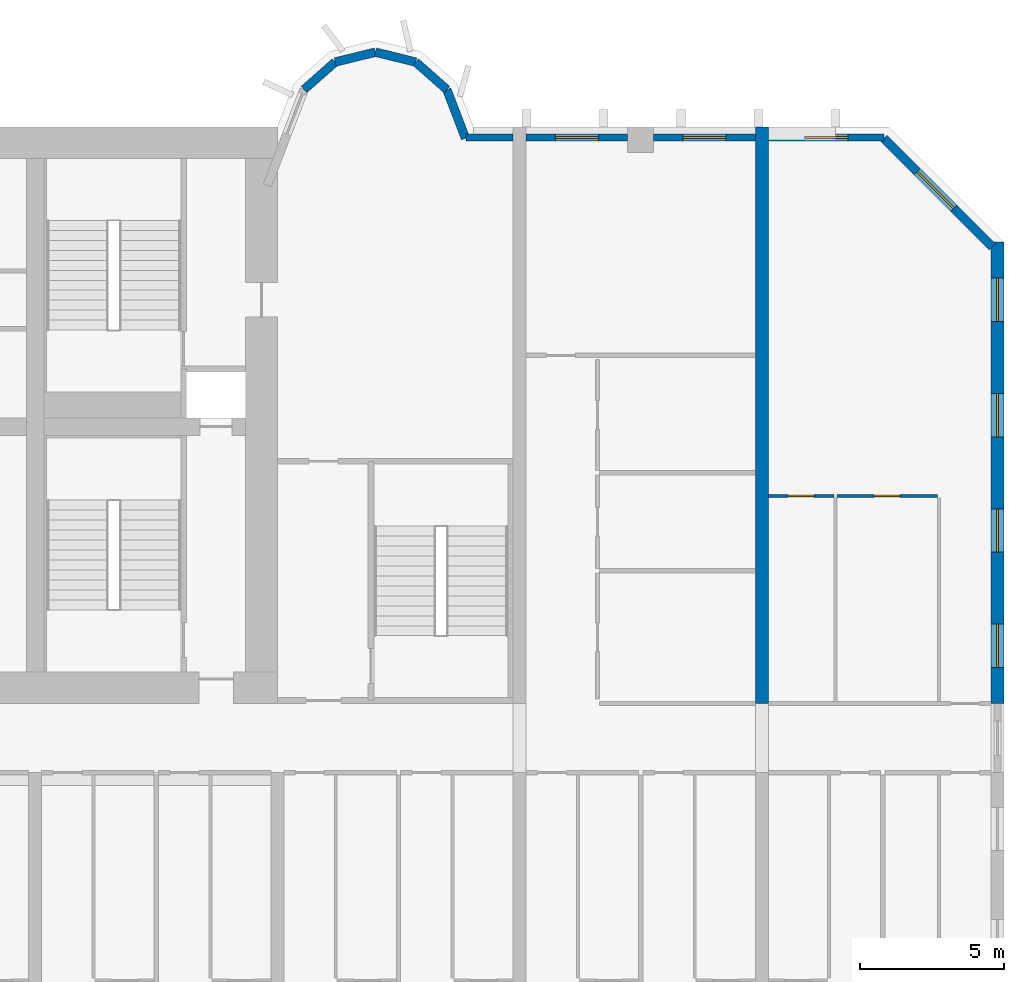
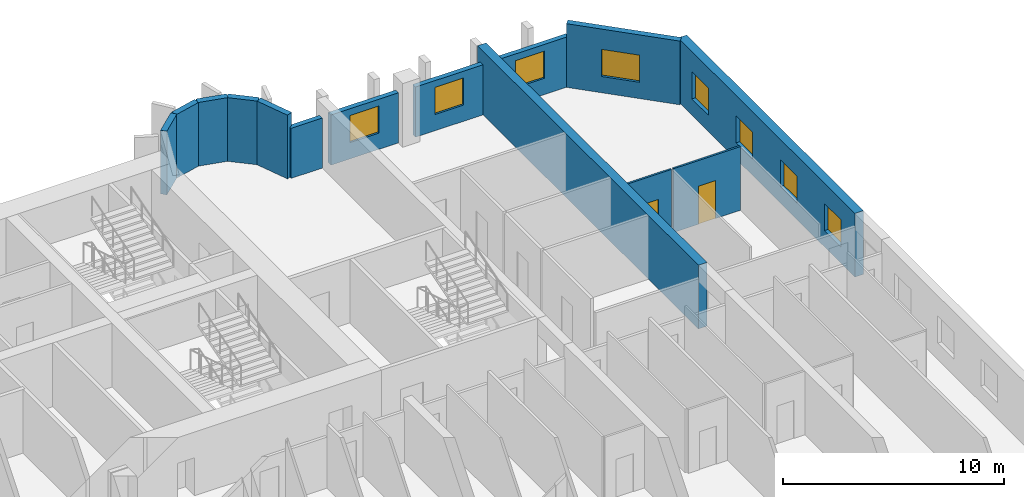
# One storey, part 11 of 15: 14 walls, 8 windows, 2 doors, 10 openings.
"""IFC4 building model written with IfcOpenShell, lengths in metres."""

from ifc_helpers import new_model, si_unit, direction, frame, frame_2d, origin, place, context, subcontext, project, spatial, rectangle, extrude, source, transform, mapped, material, layer, layer_set, type_object, element, fill, save


model = new_model("IFC4")

# Units and contexts
model_context = context("Model", 3, precision=1e-05, world=origin(), true_north=direction((0.0, 1.0)))
body_context = subcontext(model_context, "Body", "Model", "MODEL_VIEW")
ifc_project = project(units=[si_unit("LENGTHUNIT", "METRE"), si_unit("AREAUNIT", "SQUARE_METRE"), si_unit("VOLUMEUNIT", "CUBIC_METRE"), si_unit("PLANEANGLEUNIT", "RADIAN"), si_unit("MASSUNIT", "GRAM", prefix="KILO")], contexts=[model_context])

# Site, building, storey
site_placement = place(None, origin())
site = spatial("IfcSite", under=ifc_project, at=site_placement, CompositionType="ELEMENT")
building_placement = place(site_placement, origin())
building = spatial("IfcBuilding", under=site, at=building_placement, Name="Vanashikhar Sky Hotel", CompositionType="ELEMENT")
storey_placement = place(building_placement, frame((0.0, 0.0, 35.39990234375)))
storey = spatial("IfcBuildingStorey", under=building, at=storey_placement, Name="L07", CompositionType="ELEMENT", Elevation=35.39990234375)

# Wall, openings, windows
ifc_material_1 = material(Name="Concrete M80", Category="concrete")
ifc_layer_1 = layer(ifc_material_1, 0.449951171875)
ifc_layer_set_1 = layer_set([ifc_layer_1], Name="RC shear wall 450 Concrete M80")
wall_type_1 = type_object("IfcWallType", Name="RC shear wall 450 Concrete M80", PredefinedType="SHEAR", material=ifc_layer_set_1)
shared_shape_1 = source(origin(), body_context, "Body", "SweptSolid", [
    extrude(rectangle(XDim=16.0, YDim=0.449951171875, at=frame_2d((8.0, 0.0))), origin(), (0.0, 0.0, 1.0), 3.52001953125),
])
wall_1_placement = place(storey_placement, frame((100.574951171875, 22.0, 0.0), z_axis=(0.0, 0.0, 1.0), x_axis=(0.0, 1.0, 0.0)))
wall_1 = element("IfcWall", 1, at=wall_1_placement, inside=storey, type_object=wall_type_1, Name="CW-L07-XW13-2", PredefinedType="SHEAR", context=body_context, shape_type="MappedRepresentation", body=[
    mapped(shared_shape_1, transform((0.0, 0.0, 0.0), scale=1.0)),
])
shared_shape_2 = source(origin(), body_context, "Body", "SweptSolid", [
    extrude(rectangle(XDim=1.5, YDim=1.5, at=frame_2d((0.75, 0.75))), frame((0.0, 0.23486328125, 0.0), z_axis=(0.0, -1.0, 0.0), x_axis=(1.0, 0.0, 0.0)), (0.0, 0.0, 1.0), 0.469970703125),
])
opening_1_placement = place(wall_1_placement, frame((1.25, 0.0, 0.89990234375)))
opening_1 = element("IfcOpeningElement", 2, at=opening_1_placement, cuts=wall_1, Name="Opening WN-1", PredefinedType="OPENING", context=body_context, shape_type="MappedRepresentation", body=[
    mapped(shared_shape_2, transform((0.0, 0.0, 0.0), scale=1.0)),
])
opening_2_placement = place(wall_1_placement, frame((5.25, 0.0, 0.89990234375)))
opening_2 = element("IfcOpeningElement", 3, at=opening_2_placement, cuts=wall_1, Name="Opening WN-1", PredefinedType="OPENING", context=body_context, shape_type="MappedRepresentation", body=[
    mapped(shared_shape_2, transform((0.0, 0.0, 0.0), scale=1.0)),
])
opening_3_placement = place(wall_1_placement, frame((9.25, 0.0, 0.89990234375)))
opening_3 = element("IfcOpeningElement", 4, at=opening_3_placement, cuts=wall_1, Name="Opening WN-1", PredefinedType="OPENING", context=body_context, shape_type="MappedRepresentation", body=[
    mapped(shared_shape_2, transform((0.0, 0.0, 0.0), scale=1.0)),
])
opening_4_placement = place(wall_1_placement, frame((13.25, 0.0, 0.89990234375)))
opening_4 = element("IfcOpeningElement", 5, at=opening_4_placement, cuts=wall_1, Name="Opening WN-1", PredefinedType="OPENING", context=body_context, shape_type="MappedRepresentation", body=[
    mapped(shared_shape_2, transform((0.0, 0.0, 0.0), scale=1.0)),
])
ifc_material_2 = material(Name="Glass", Category="glass")
window_type_1 = type_object("IfcWindowType", Name="Window 1500 x 1500", PartitioningType="SINGLE_PANEL", PredefinedType="WINDOW", material=ifc_material_2)
shared_shape_3 = source(origin(), body_context, "Body", "SweptSolid", [
    extrude(rectangle(XDim=1.5, YDim=1.5, at=frame_2d((0.75, 0.75))), frame((0.0, 0.030029296875, 0.0), z_axis=(0.0, -1.0, 0.0), x_axis=(1.0, 0.0, 0.0)), (0.0, 0.0, 1.0), 0.06005859375),
])
window_1_placement = place(opening_1_placement, origin())
window_1 = element("IfcWindow", 6, at=window_1_placement, inside=storey, type_object=window_type_1, Name="Window WN-1", OverallHeight=1.5, OverallWidth=1.5, PartitioningType="SINGLE_PANEL", PredefinedType="WINDOW", context=body_context, shape_type="MappedRepresentation", body=[
    mapped(shared_shape_3, transform((0.0, 0.0, 0.0), scale=1.0)),
])
fill(opening_1, window_1)
window_2_placement = place(opening_2_placement, origin())
window_2 = element("IfcWindow", 7, at=window_2_placement, inside=storey, type_object=window_type_1, Name="Window WN-1", OverallHeight=1.5, OverallWidth=1.5, PartitioningType="SINGLE_PANEL", PredefinedType="WINDOW", context=body_context, shape_type="MappedRepresentation", body=[
    mapped(shared_shape_3, transform((0.0, 0.0, 0.0), scale=1.0)),
])
fill(opening_2, window_2)
window_3_placement = place(opening_3_placement, origin())
window_3 = element("IfcWindow", 8, at=window_3_placement, inside=storey, type_object=window_type_1, Name="Window WN-1", OverallHeight=1.5, OverallWidth=1.5, PartitioningType="SINGLE_PANEL", PredefinedType="WINDOW", context=body_context, shape_type="MappedRepresentation", body=[
    mapped(shared_shape_3, transform((0.0, 0.0, 0.0), scale=1.0)),
])
fill(opening_3, window_3)
window_4_placement = place(opening_4_placement, origin())
window_4 = element("IfcWindow", 9, at=window_4_placement, inside=storey, type_object=window_type_1, Name="Window WN-1", OverallHeight=1.5, OverallWidth=1.5, PartitioningType="SINGLE_PANEL", PredefinedType="WINDOW", context=body_context, shape_type="MappedRepresentation", body=[
    mapped(shared_shape_3, transform((0.0, 0.0, 0.0), scale=1.0)),
])
fill(opening_4, window_4)

# Wall
shared_shape_4 = source(origin(), body_context, "Body", "SweptSolid", [
    extrude(rectangle(XDim=20.0, YDim=0.449951171875, at=frame_2d((10.0, 0.0))), origin(), (0.0, 0.0, 1.0), 3.52001953125),
])
wall_2_placement = place(storey_placement, frame((92.39990234375, 22.0, 0.0), z_axis=(0.0, 0.0, 1.0), x_axis=(0.0, 1.0, 0.0)))
element("IfcWall", 10, at=wall_2_placement, inside=storey, type_object=wall_type_1, Name="CW-L07-XW12-2", PredefinedType="SHEAR", context=body_context, shape_type="MappedRepresentation", body=[
    mapped(shared_shape_4, transform((0.0, 0.0, 0.0), scale=1.0)),
])

# Wall, opening, window
ifc_material_3 = material(Name="Concrete M50", Category="concrete")
ifc_layer_2 = layer(ifc_material_3, 0.300048828125)
ifc_layer_set_2 = layer_set([ifc_layer_2], Name="Lobe wall 300")
wall_type_2 = type_object("IfcWallType", Name="Lobe wall 300", PredefinedType="SOLIDWALL", material=ifc_layer_set_2)
shared_shape_5 = source(origin(), body_context, "Body", "SweptSolid", [
    extrude(rectangle(XDim=5.32568359375, YDim=0.300048828125, at=frame_2d((2.662841796875, 0.0))), origin(), (0.0, 0.0, 1.0), 3.52001953125),
])
wall_3_placement = place(storey_placement, frame((100.39990234375, 37.834228515625, 0.0), z_axis=(0.0, 0.0, 1.0), x_axis=(-0.707083859269, 0.707129702361, 0.0)))
wall_3 = element("IfcWall", 11, at=wall_3_placement, inside=storey, type_object=wall_type_2, Name="Corner wall", PredefinedType="SOLIDWALL", context=body_context, shape_type="MappedRepresentation", body=[
    mapped(shared_shape_5, transform((0.0, 0.0, 0.0), scale=1.0)),
])
shared_shape_6 = source(origin(), body_context, "Body", "SweptSolid", [
    extrude(rectangle(XDim=1.800048828125, YDim=1.5, at=frame_2d((0.89990234375, 0.75))), frame((0.0, 0.16015625, 0.0), z_axis=(0.0, -1.0, 0.0), x_axis=(1.0, 0.0, 0.0)), (0.0, 0.0, 1.0), 0.320068359375),
])
opening_5_placement = place(wall_3_placement, frame((1.888916015625, 0.0, 0.89990234375)))
opening_5 = element("IfcOpeningElement", 12, at=opening_5_placement, cuts=wall_3, Name="Opening WN-4", PredefinedType="OPENING", context=body_context, shape_type="MappedRepresentation", body=[
    mapped(shared_shape_6, transform((0.0, 0.0, 0.0), scale=1.0)),
])
window_type_2 = type_object("IfcWindowType", Name="Corner window 1800 x 1500", PartitioningType="SINGLE_PANEL", PredefinedType="WINDOW", material=ifc_material_2)
shared_shape_7 = source(origin(), body_context, "Body", "SweptSolid", [
    extrude(rectangle(XDim=1.800048828125, YDim=1.5, at=frame_2d((0.89990234375, 0.75))), frame((0.0, 0.030029296875, 0.0), z_axis=(0.0, -1.0, 0.0), x_axis=(1.0, 0.0, 0.0)), (0.0, 0.0, 1.0), 0.06005859375),
])
window_5_placement = place(opening_5_placement, origin())
window_5 = element("IfcWindow", 13, at=window_5_placement, inside=storey, type_object=window_type_2, Name="Window WN-4", OverallHeight=1.5, OverallWidth=1.800048828125, PartitioningType="SINGLE_PANEL", PredefinedType="WINDOW", context=body_context, shape_type="MappedRepresentation", body=[
    mapped(shared_shape_7, transform((0.0, 0.0, 0.0), scale=1.0)),
])
fill(opening_5, window_5)

ifc_layer_3 = layer(ifc_material_3, 0.25)
ifc_layer_set_3 = layer_set([ifc_layer_3], Name="Rear and end board-marked wall 250")
wall_type_3 = type_object("IfcWallType", Name="Rear and end board-marked wall 250", PredefinedType="SOLIDWALL", material=ifc_layer_set_3)
shared_shape_8 = source(origin(), body_context, "Body", "SweptSolid", [
    extrude(rectangle(XDim=4.019775390625, YDim=0.25, at=frame_2d((2.009765625, 0.0))), origin(), (0.0, 0.0, 1.0), 2.77001953125),
])
wall_4_placement = place(storey_placement, frame((96.644775390625, 41.625, 0.0), z_axis=(0.0, 0.0, 1.0), x_axis=(-1.0, 0.0, 0.0)))
wall_4 = element("IfcWall", 14, at=wall_4_placement, inside=storey, type_object=wall_type_3, Name="Rear board-marked wall", PredefinedType="SOLIDWALL", context=body_context, shape_type="MappedRepresentation", body=[
    mapped(shared_shape_8, transform((0.0, 0.0, 0.0), scale=1.0)),
])
shared_shape_9 = source(origin(), body_context, "Body", "SweptSolid", [
    extrude(rectangle(XDim=1.5, YDim=1.5, at=frame_2d((0.75, 0.75))), frame((0.0, 0.135009765625, 0.0), z_axis=(0.0, -1.0, 0.0), x_axis=(1.0, 0.0, 0.0)), (0.0, 0.0, 1.0), 0.27001953125),
])
opening_6_placement = place(wall_4_placement, frame((1.260009765625, 0.0, 0.89990234375)))
opening_6 = element("IfcOpeningElement", 15, at=opening_6_placement, cuts=wall_4, Name="Opening WN-1", PredefinedType="OPENING", context=body_context, shape_type="MappedRepresentation", body=[
    mapped(shared_shape_9, transform((0.0, 0.0, 0.0), scale=1.0)),
])
window_6_placement = place(opening_6_placement, origin())
window_6 = element("IfcWindow", 16, at=window_6_placement, inside=storey, type_object=window_type_1, Name="Window WN-1", OverallHeight=1.5, OverallWidth=1.5, PartitioningType="SINGLE_PANEL", PredefinedType="WINDOW", context=body_context, shape_type="MappedRepresentation", body=[
    mapped(shared_shape_3, transform((0.0, 0.0, 0.0), scale=1.0)),
])
fill(opening_6, window_6)

# Walls
shared_shape_10 = source(origin(), body_context, "Body", "SweptSolid", [
    extrude(rectangle(XDim=1.438720703125, YDim=0.300048828125, at=frame_2d((0.71923828125, 0.0))), origin(), (0.0, 0.0, 1.0), 3.52001953125),
])
for number, where, z_axis, x_axis, name in (
    (17, (80.397216796875, 44.2451171875, 0.0), (0.0, 0.0, 1.0), (-0.971161932466, 0.238420848351, 0.0), "Lobe wall"),
    (18, (79.0, 44.588134765625, 0.0), (0.0, 0.0, 1.0), (-0.971161932466, -0.238420848351, 0.0), "Lobe wall"),
):
    element("IfcWall", number, at=place(storey_placement, frame(where, z_axis=z_axis, x_axis=x_axis)), inside=storey, type_object=wall_type_2, Name=name, PredefinedType="SOLIDWALL", context=body_context, shape_type="MappedRepresentation", body=[
        mapped(shared_shape_10, transform((0.0, 0.0, 0.0), scale=1.0)),
    ])
shared_shape_11 = source(origin(), body_context, "Body", "SweptSolid", [
    extrude(rectangle(XDim=1.43994140625, YDim=0.300048828125, at=frame_2d((0.719970703125, 0.0))), origin(), (0.0, 0.0, 1.0), 3.52001953125),
])
for number, where, z_axis, x_axis, name in (
    (19, (81.4765625, 43.2919921875, 0.0), (0.0, 0.0, 1.0), (-0.74957555648, 0.661918790432, 0.0), "Lobe wall"),
    (20, (77.602783203125, 44.2451171875, 0.0), (0.0, 0.0, 1.0), (-0.74957555648, -0.661918790432, 0.0), "Lobe wall"),
):
    element("IfcWall", number, at=place(storey_placement, frame(where, z_axis=z_axis, x_axis=x_axis)), inside=storey, type_object=wall_type_2, Name=name, PredefinedType="SOLIDWALL", context=body_context, shape_type="MappedRepresentation", body=[
        mapped(shared_shape_11, transform((0.0, 0.0, 0.0), scale=1.0)),
    ])
shared_shape_12 = source(origin(), body_context, "Body", "SweptSolid", [
    extrude(rectangle(XDim=1.81201171875, YDim=0.300048828125, at=frame_2d((0.906005859375, 0.0))), origin(), (0.0, 0.0, 1.0), 3.52001953125),
])
wall_5_placement = place(storey_placement, frame((82.125, 41.60009765625, 0.0), z_axis=(0.0, 0.0, 1.0), x_axis=(-0.357877270961, 0.93376863244, 0.0)))
element("IfcWall", 21, at=wall_5_placement, inside=storey, type_object=wall_type_2, Name="Lobe wall", PredefinedType="SOLIDWALL", context=body_context, shape_type="MappedRepresentation", body=[
    mapped(shared_shape_12, transform((0.0, 0.0, 0.0), scale=1.0)),
])

# Wall, opening, window
shared_shape_13 = source(origin(), body_context, "Body", "SweptSolid", [
    extrude(rectangle(XDim=3.52490234375, YDim=0.25, at=frame_2d((1.762451171875, 0.0))), origin(), (0.0, 0.0, 1.0), 2.77001953125),
])
wall_6_placement = place(storey_placement, frame((87.75, 41.625, 0.0), z_axis=(0.0, 0.0, 1.0), x_axis=(-1.0, 0.0, 0.0)))
wall_6 = element("IfcWall", 22, at=wall_6_placement, inside=storey, type_object=wall_type_3, Name="Rear board-marked wall", PredefinedType="SOLIDWALL", context=body_context, shape_type="MappedRepresentation", body=[
    mapped(shared_shape_13, transform((0.0, 0.0, 0.0), scale=1.0)),
])
opening_7_placement = place(wall_6_placement, frame((1.012451171875, 0.0, 0.89990234375)))
opening_7 = element("IfcOpeningElement", 23, at=opening_7_placement, cuts=wall_6, Name="Opening WN-1", PredefinedType="OPENING", context=body_context, shape_type="MappedRepresentation", body=[
    mapped(shared_shape_9, transform((0.0, 0.0, 0.0), scale=1.0)),
])
window_7_placement = place(opening_7_placement, origin())
window_7 = element("IfcWindow", 24, at=window_7_placement, inside=storey, type_object=window_type_1, Name="Window WN-1", OverallHeight=1.5, OverallWidth=1.5, PartitioningType="SINGLE_PANEL", PredefinedType="WINDOW", context=body_context, shape_type="MappedRepresentation", body=[
    mapped(shared_shape_3, transform((0.0, 0.0, 0.0), scale=1.0)),
])
fill(opening_7, window_7)

# Wall
shared_shape_14 = source(origin(), body_context, "Body", "SweptSolid", [
    extrude(rectangle(XDim=1.6328125, YDim=0.25, at=frame_2d((0.81640625, 0.0))), origin(), (0.0, 0.0, 1.0), 2.77001953125),
])
wall_7_placement = place(storey_placement, frame((83.77490234375, 41.625, 0.0), z_axis=(0.0, 0.0, 1.0), x_axis=(-1.0, 0.0, 0.0)))
element("IfcWall", 25, at=wall_7_placement, inside=storey, type_object=wall_type_3, Name="Rear board-marked wall", PredefinedType="SOLIDWALL", context=body_context, shape_type="MappedRepresentation", body=[
    mapped(shared_shape_14, transform((0.0, 0.0, 0.0), scale=1.0)),
])

# Wall, opening, window
shared_shape_15 = source(origin(), body_context, "Body", "SweptSolid", [
    extrude(rectangle(XDim=3.525146484375, YDim=0.25, at=frame_2d((1.7626953125, 0.0))), origin(), (0.0, 0.0, 1.0), 2.77001953125),
])
wall_8_placement = place(storey_placement, frame((92.175048828125, 41.625, 0.0), z_axis=(0.0, 0.0, 1.0), x_axis=(-1.0, 0.0, 0.0)))
wall_8 = element("IfcWall", 26, at=wall_8_placement, inside=storey, type_object=wall_type_3, Name="Rear board-marked wall", PredefinedType="SOLIDWALL", context=body_context, shape_type="MappedRepresentation", body=[
    mapped(shared_shape_15, transform((0.0, 0.0, 0.0), scale=1.0)),
])
opening_8_placement = place(wall_8_placement, frame((1.012451171875, 0.0, 0.89990234375)))
opening_8 = element("IfcOpeningElement", 27, at=opening_8_placement, cuts=wall_8, Name="Opening WN-1", PredefinedType="OPENING", context=body_context, shape_type="MappedRepresentation", body=[
    mapped(shared_shape_9, transform((0.0, 0.0, 0.0), scale=1.0)),
])
window_8_placement = place(opening_8_placement, origin())
window_8 = element("IfcWindow", 28, at=window_8_placement, inside=storey, type_object=window_type_1, Name="Window WN-1", OverallHeight=1.5, OverallWidth=1.5, PartitioningType="SINGLE_PANEL", PredefinedType="WINDOW", context=body_context, shape_type="MappedRepresentation", body=[
    mapped(shared_shape_3, transform((0.0, 0.0, 0.0), scale=1.0)),
])
fill(opening_8, window_8)

# Wall, opening, door
ifc_material_4 = material(Name="Gypsum plasterboard partition")
ifc_layer_4 = layer(ifc_material_4, 0.10009765625)
ifc_layer_set_4 = layer_set([ifc_layer_4], Name="Wet room partition 100")
wall_type_4 = type_object("IfcWallType", Name="Wet room partition 100", PredefinedType="PARTITIONING", material=ifc_layer_set_4)
shared_shape_16 = source(origin(), body_context, "Body", "SweptSolid", [
    extrude(rectangle(XDim=3.5, YDim=0.10009765625, at=frame_2d((1.75, 0.0))), origin(), (0.0, 0.0, 1.0), 3.52001953125),
])
wall_9_placement = place(storey_placement, frame((95.0, 29.199951171875, 0.0), z_axis=(0.0, 0.0, 1.0), x_axis=(1.0, 0.0, 0.0)))
wall_9 = element("IfcWall", 29, at=wall_9_placement, inside=storey, type_object=wall_type_4, Name="W-L07-PW110", PredefinedType="PARTITIONING", context=body_context, shape_type="MappedRepresentation", body=[
    mapped(shared_shape_16, transform((0.0, 0.0, 0.0), scale=1.0)),
])
shared_shape_17 = source(origin(), body_context, "Body", "SweptSolid", [
    extrude(rectangle(XDim=0.89990234375, YDim=2.10009765625, at=frame_2d((0.449951171875, 1.050048828125))), frame((0.0, 0.06005859375, 0.0), z_axis=(0.0, -1.0, 0.0), x_axis=(1.0, 0.0, 0.0)), (0.0, 0.0, 1.0), 0.1201171875),
])
opening_9_placement = place(wall_9_placement, frame((1.300048828125, 0.0, 0.0)))
opening_9 = element("IfcOpeningElement", 30, at=opening_9_placement, cuts=wall_9, Name="Opening D-02", PredefinedType="OPENING", context=body_context, shape_type="MappedRepresentation", body=[
    mapped(shared_shape_17, transform((0.0, 0.0, 0.0), scale=1.0)),
])
ifc_material_5 = material(Name="Timber door", Category="wood")
door_type = type_object("IfcDoorType", Name="Internal door 900", OperationType="NOTDEFINED", PredefinedType="DOOR", material=ifc_material_5)
shared_shape_18 = source(origin(), body_context, "Body", "SweptSolid", [
    extrude(rectangle(XDim=0.89990234375, YDim=2.10009765625, at=frame_2d((0.449951171875, 1.050048828125))), frame((0.0, 0.02490234375, 0.0), z_axis=(0.0, -1.0, 0.0), x_axis=(1.0, 0.0, 0.0)), (0.0, 0.0, 1.0), 0.050048828125),
])
door_1_placement = place(opening_9_placement, origin())
door_1 = element("IfcDoor", 31, at=door_1_placement, inside=storey, type_object=door_type, Name="D-L07-061", OperationType="SINGLE_SWING_RIGHT", OverallHeight=2.10009765625, OverallWidth=0.89990234375, PredefinedType="DOOR", context=body_context, shape_type="MappedRepresentation", body=[
    mapped(shared_shape_18, transform((0.0, 0.0, 0.0), scale=1.0)),
])
fill(opening_9, door_1)

shared_shape_19 = source(origin(), body_context, "Body", "SweptSolid", [
    extrude(rectangle(XDim=2.27490234375, YDim=0.10009765625, at=frame_2d((1.137451171875, 0.0))), origin(), (0.0, 0.0, 1.0), 3.52001953125),
])
wall_10_placement = place(storey_placement, frame((92.625, 29.199951171875, 0.0), z_axis=(0.0, 0.0, 1.0), x_axis=(1.0, 0.0, 0.0)))
wall_10 = element("IfcWall", 32, at=wall_10_placement, inside=storey, type_object=wall_type_4, Name="W-L07-PW111", PredefinedType="PARTITIONING", context=body_context, shape_type="MappedRepresentation", body=[
    mapped(shared_shape_19, transform((0.0, 0.0, 0.0), scale=1.0)),
])
opening_10_placement = place(wall_10_placement, frame((0.68798828125, 0.0, 0.0)))
opening_10 = element("IfcOpeningElement", 33, at=opening_10_placement, cuts=wall_10, Name="Opening D-02", PredefinedType="OPENING", context=body_context, shape_type="MappedRepresentation", body=[
    mapped(shared_shape_17, transform((0.0, 0.0, 0.0), scale=1.0)),
])
door_2_placement = place(opening_10_placement, origin())
door_2 = element("IfcDoor", 34, at=door_2_placement, inside=storey, type_object=door_type, Name="D-L07-062", OperationType="SINGLE_SWING_RIGHT", OverallHeight=2.10009765625, OverallWidth=0.89990234375, PredefinedType="DOOR", context=body_context, shape_type="MappedRepresentation", body=[
    mapped(shared_shape_18, transform((0.0, 0.0, 0.0), scale=1.0)),
])
fill(opening_10, door_2)

save(model, "model.ifc")
